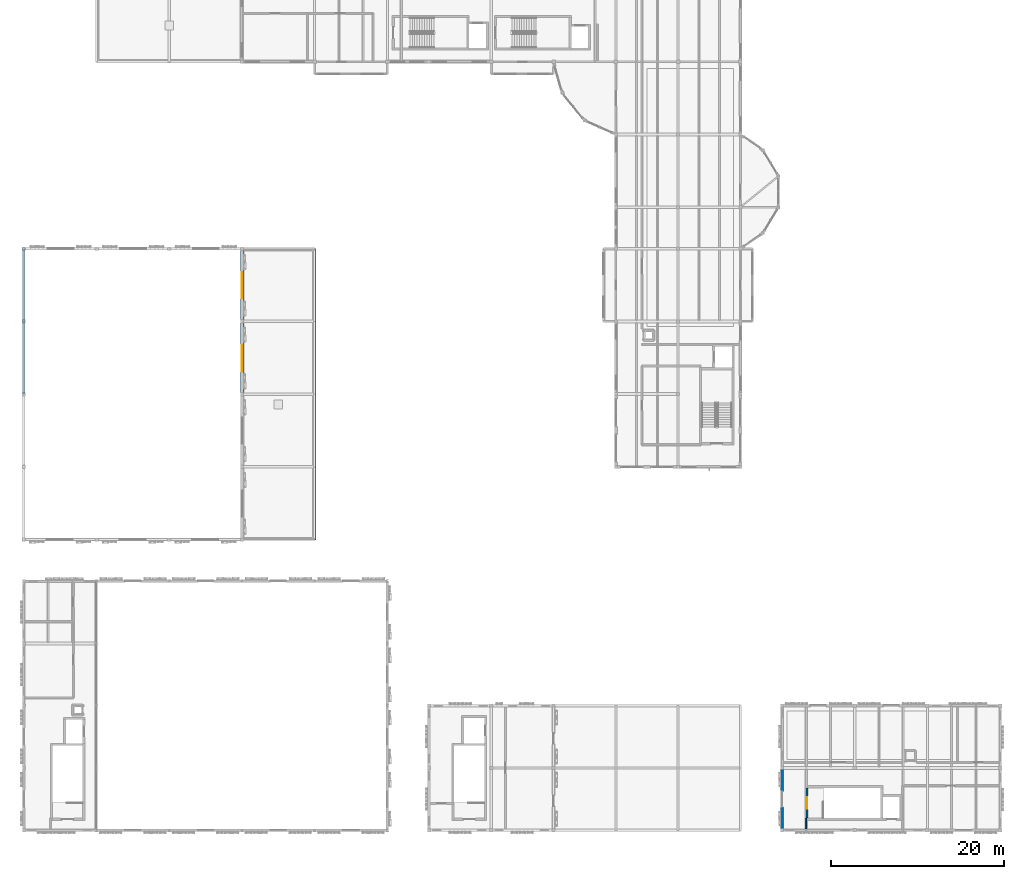
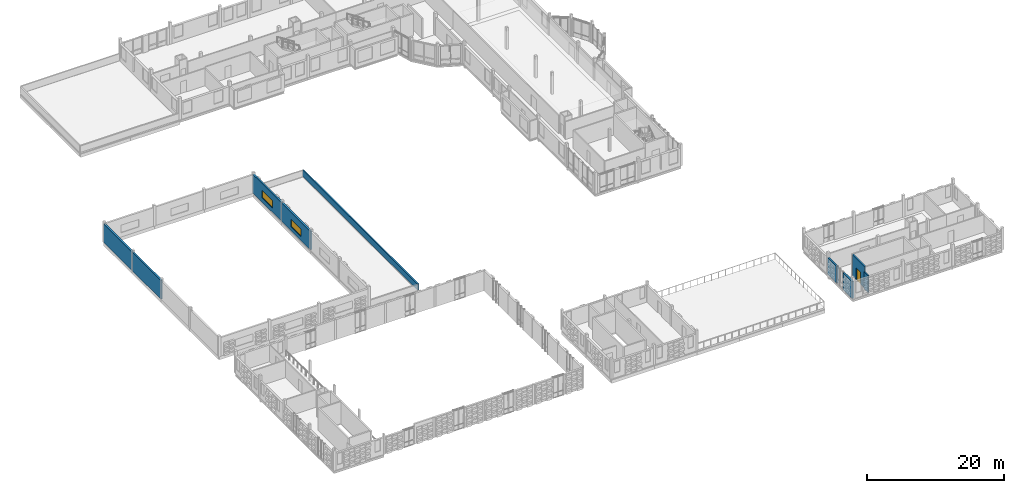
# One storey, part 37 of 57: 9 walls, 2 windows, 1 door, 3 openings.
"""IFC4 building model written with IfcOpenShell, lengths in metres."""

from ifc_helpers import new_model, si_unit, direction, frame, frame_2d, origin, place, context, subcontext, project, spatial, rectangle, extrude, material, layer, layer_set, type_object, element, fill, save


model = new_model("IFC4")

# Units and contexts
model_context = context("Model", 3, precision=1e-05, world=origin(), true_north=direction((0.0, 1.0)))
body_context = subcontext(model_context, "Body", "Model", "MODEL_VIEW")
ifc_project = project(units=[si_unit("LENGTHUNIT", "METRE"), si_unit("AREAUNIT", "SQUARE_METRE"), si_unit("VOLUMEUNIT", "CUBIC_METRE"), si_unit("PLANEANGLEUNIT", "RADIAN"), si_unit("MASSUNIT", "GRAM", prefix="KILO")], contexts=[model_context])

# Site, building, storey
site_placement = place(None, origin())
site = spatial("IfcSite", under=ifc_project, at=site_placement, CompositionType="ELEMENT")
building_placement = place(site_placement, origin())
building = spatial("IfcBuilding", under=site, at=building_placement, Name="Kahlenmark Community Centre", CompositionType="ELEMENT")
storey_placement = place(building_placement, frame((0.0, 0.0, 13.800048828125)))
storey = spatial("IfcBuildingStorey", under=building, at=storey_placement, Name="L03", CompositionType="ELEMENT", Elevation=13.800048828125)

# Wall, opening, door
ifc_material_1 = material(Name="Concrete C35/45", Category="concrete")
ifc_layer_1 = layer(ifc_material_1, 0.25)
ifc_layer_set_1 = layer_set([ifc_layer_1], Name="Concrete C35/45")
wall_type_1 = type_object("IfcWallType", Name="WT-CORE-250", PredefinedType="SHEAR", material=ifc_layer_set_1)
wall_1_placement = place(storey_placement, frame((94.47509765625, 13.699951171875, 0.0), z_axis=(0.0, 0.0, 1.0), x_axis=(0.0, -1.0, 0.0)))
wall_1 = element("IfcWall", 1, at=wall_1_placement, inside=storey, type_object=wall_type_1, Name="Core K7 shear wall WL-CORE-K7-L03-0274", PredefinedType="SHEAR", context=body_context, shape_type="SweptSolid", body=[
    extrude(rectangle(XDim=3.5, YDim=0.25, at=frame_2d((1.75, 0.0))), origin(), (0.0, 0.0, 1.0), 3.89990234375),
])
opening_1_placement = place(wall_1_placement, frame((1.10009765625, 0.0, -0.010009765625)))
opening_1 = element("IfcOpeningElement", 2, at=opening_1_placement, cuts=wall_1, Name="Opening FD-K7-L03", PredefinedType="OPENING", context=body_context, shape_type="SweptSolid", body=[
    extrude(rectangle(XDim=1.300048828125, YDim=2.159912109375, at=frame_2d((0.64990234375, 1.080078125))), frame((0.0, 0.135009765625, 0.0), z_axis=(0.0, -1.0, 0.0), x_axis=(1.0, 0.0, 0.0)), (0.0, 0.0, 1.0), 0.27001953125),
])
ifc_material_2 = material(Name="Fire-rated steel-framed timber door FD60S", Category="steel")
door_type = type_object("IfcDoorType", Name="DT-FD-K7-L03", OperationType="NOTDEFINED", PredefinedType="DOOR", material=ifc_material_2)
door_placement = place(opening_1_placement, frame((1.300048828125, 0.0, 0.010009765625), z_axis=(0.0, 0.0, 1.0), x_axis=(-1.0, 0.0, 0.0)))
door = element("IfcDoor", 3, at=door_placement, inside=storey, type_object=door_type, Name="Core K7 stair fire door L03", OperationType="SINGLE_SWING_LEFT", OverallHeight=2.14990234375, OverallWidth=1.300048828125, PredefinedType="DOOR", context=body_context, shape_type="SweptSolid", body=[
    extrude(rectangle(XDim=1.300048828125, YDim=2.14990234375, at=frame_2d((0.64990234375, 1.074951171875))), frame((0.0, 0.02490234375, 0.0), z_axis=(0.0, -1.0, 0.0), x_axis=(1.0, 0.0, 0.0)), (0.0, 0.0, 1.0), 0.050048828125),
])
fill(opening_1, door)

# Walls
ifc_material_3 = material(Name="Cross-laminated timber CLT C24", Category="wood")
ifc_layer_2 = layer(ifc_material_3, 0.300048828125)
ifc_layer_set_2 = layer_set([ifc_layer_2], Name="Cross-laminated timber CLT C24")
wall_type_2 = type_object("IfcWallType", Name="WT-EW-300", PredefinedType="SOLIDWALL", material=ifc_layer_set_2)
wall_2_placement = place(storey_placement, frame((4.0, 67.60009765625, 0.0), z_axis=(0.0, 0.0, 1.0), x_axis=(0.0, -1.0, 0.0)))
element("IfcWall", 4, at=wall_2_placement, inside=storey, type_object=wall_type_2, Name="Exterior wall WL-EXT-L03-0585", PredefinedType="SOLIDWALL", context=body_context, shape_type="SweptSolid", body=[
    extrude(rectangle(XDim=8.400146484375, YDim=0.300048828125, at=frame_2d((4.2001953125, 0.0))), origin(), (0.0, 0.0, 1.0), 3.320068359375),
])
wall_3_placement = place(storey_placement, frame((4.0, 76.0, 0.0), z_axis=(0.0, 0.0, 1.0), x_axis=(0.0, -1.0, 0.0)))
element("IfcWall", 5, at=wall_3_placement, inside=storey, type_object=wall_type_2, Name="Exterior wall WL-EXT-L03-0586", PredefinedType="SOLIDWALL", context=body_context, shape_type="SweptSolid", body=[
    extrude(rectangle(XDim=8.39990234375, YDim=0.300048828125, at=frame_2d((4.199951171875, 0.0))), origin(), (0.0, 0.0, 1.0), 3.320068359375),
])

# Wall, opening, window
wall_4_placement = place(storey_placement, frame((29.199951171875, 59.199951171875, 0.0), z_axis=(0.0, 0.0, 1.0), x_axis=(0.0, 1.0, 0.0)))
wall_4 = element("IfcWall", 6, at=wall_4_placement, inside=storey, type_object=wall_type_2, Name="Exterior wall WL-EXT-L03-0589", PredefinedType="SOLIDWALL", context=body_context, shape_type="SweptSolid", body=[
    extrude(rectangle(XDim=8.400146484375, YDim=0.300048828125, at=frame_2d((4.2001953125, 0.0))), origin(), (0.0, 0.0, 1.0), 3.320068359375),
])
opening_2_placement = place(wall_4_placement, frame((2.659912109375, 0.0, 0.75)))
opening_2 = element("IfcOpeningElement", 7, at=opening_2_placement, cuts=wall_4, Name="Opening W-300X135", PredefinedType="OPENING", context=body_context, shape_type="SweptSolid", body=[
    extrude(rectangle(XDim=3.0, YDim=1.35009765625, at=frame_2d((1.5, 0.675048828125))), frame((0.0, 0.159912109375, 0.0), z_axis=(0.0, -1.0, 0.0), x_axis=(1.0, 0.0, 0.0)), (0.0, 0.0, 1.0), 0.320068359375),
])
ifc_material_4 = material(Name="Triple low-e acoustic clerestory glazing", Category="glass")
window_type = type_object("IfcWindowType", Name="WNT-300X135", PartitioningType="TRIPLE_PANEL_VERTICAL", PredefinedType="WINDOW", material=ifc_material_4)
window_1_placement = place(opening_2_placement, origin())
window_1 = element("IfcWindow", 8, at=window_1_placement, inside=storey, type_object=window_type, Name="Window W-300X135 #0357", OverallHeight=1.35009765625, OverallWidth=3.0, PartitioningType="TRIPLE_PANEL_VERTICAL", PredefinedType="WINDOW", context=body_context, shape_type="SweptSolid", body=[
    extrude(rectangle(XDim=3.0, YDim=1.35009765625, at=frame_2d((1.5, 0.675048828125))), frame((0.0, 0.030029296875, 0.0), z_axis=(0.0, -1.0, 0.0), x_axis=(1.0, 0.0, 0.0)), (0.0, 0.0, 1.0), 0.06005859375),
])
fill(opening_2, window_1)

wall_5_placement = place(storey_placement, frame((29.199951171875, 67.60009765625, 0.0), z_axis=(0.0, 0.0, 1.0), x_axis=(0.0, 1.0, 0.0)))
wall_5 = element("IfcWall", 9, at=wall_5_placement, inside=storey, type_object=wall_type_2, Name="Exterior wall WL-EXT-L03-0590", PredefinedType="SOLIDWALL", context=body_context, shape_type="SweptSolid", body=[
    extrude(rectangle(XDim=8.39990234375, YDim=0.300048828125, at=frame_2d((4.199951171875, 0.0))), origin(), (0.0, 0.0, 1.0), 3.320068359375),
])
opening_3_placement = place(wall_5_placement, frame((2.659912109375, 0.0, 0.75)))
opening_3 = element("IfcOpeningElement", 10, at=opening_3_placement, cuts=wall_5, Name="Opening W-300X135", PredefinedType="OPENING", context=body_context, shape_type="SweptSolid", body=[
    extrude(rectangle(XDim=3.0, YDim=1.35009765625, at=frame_2d((1.5, 0.675048828125))), frame((0.0, 0.159912109375, 0.0), z_axis=(0.0, -1.0, 0.0), x_axis=(1.0, 0.0, 0.0)), (0.0, 0.0, 1.0), 0.320068359375),
])
window_2_placement = place(opening_3_placement, origin())
window_2 = element("IfcWindow", 11, at=window_2_placement, inside=storey, type_object=window_type, Name="Window W-300X135 #0358", OverallHeight=1.35009765625, OverallWidth=3.0, PartitioningType="TRIPLE_PANEL_VERTICAL", PredefinedType="WINDOW", context=body_context, shape_type="SweptSolid", body=[
    extrude(rectangle(XDim=3.0, YDim=1.35009765625, at=frame_2d((1.5, 0.675048828125))), frame((0.0, 0.030029296875, 0.0), z_axis=(0.0, -1.0, 0.0), x_axis=(1.0, 0.0, 0.0)), (0.0, 0.0, 1.0), 0.06005859375),
])
fill(opening_3, window_2)

# Walls
for number, where, z_axis, x_axis, name in (
    (12, (91.60009765625, 16.0, 0.0), (0.0, 0.0, 1.0), (0.0, -1.0, 0.0), "Basketweave backup wall WL-EXT-L03-0634"),
    (13, (91.60009765625, 11.5, 0.0), (0.0, 0.0, 1.0), (0.0, -1.0, 0.0), "Basketweave backup wall WL-EXT-L03-0635"),
):
    element("IfcWall", number, at=place(storey_placement, frame(where, z_axis=z_axis, x_axis=x_axis)), inside=storey, type_object=wall_type_2, Name=name, PredefinedType="SOLIDWALL", context=body_context, shape_type="SweptSolid", body=[
        extrude(rectangle(XDim=2.699951171875, YDim=0.300048828125, at=frame_2d((1.35009765625, 0.0))), origin(), (0.0, 0.0, 1.0), 3.010009765625),
    ])
ifc_material_5 = material(Name="Concrete C30/37", Category="concrete")
ifc_layer_3 = layer(ifc_material_5, 0.219970703125)
ifc_layer_set_3 = layer_set([ifc_layer_3], Name="Concrete C30/37")
wall_type_3 = type_object("IfcWallType", Name="WT-PAR-220", PredefinedType="PARAPET", material=ifc_layer_set_3)
wall_6_placement = place(storey_placement, frame((37.60009765625, 42.39990234375, 0.0), z_axis=(0.0, 0.0, 1.0), x_axis=(0.0, 1.0, 0.0)))
element("IfcWall", 14, at=wall_6_placement, inside=storey, type_object=wall_type_3, Name="Roof parapet 1043", PredefinedType="PARAPET", context=body_context, shape_type="SweptSolid", body=[
    extrude(rectangle(XDim=33.60009765625, YDim=0.219970703125, at=frame_2d((16.800048828125, 0.0))), origin(), (0.0, 0.0, 1.0), 1.119873046875),
])
ifc_material_6 = material(Name="Gypsum plasterboard partition", Category="gypsum")
ifc_layer_4 = layer(ifc_material_6, 0.179931640625)
ifc_layer_set_4 = layer_set([ifc_layer_4], Name="Gypsum plasterboard partition")
wall_type_4 = type_object("IfcWallType", Name="WT-PW-180", PredefinedType="PARTITIONING", material=ifc_layer_set_4)
wall_7_placement = place(storey_placement, frame((94.35009765625, 8.9599609375, 0.0), z_axis=(0.0, 0.0, 1.0), x_axis=(0.0, 1.0, 0.0)))
element("IfcWall", 15, at=wall_7_placement, inside=storey, type_object=wall_type_4, Name="Interior partition WL-INT-L03-0218", PredefinedType="PARTITIONING", context=body_context, shape_type="SweptSolid", body=[
    extrude(rectangle(XDim=1.239990234375, YDim=0.179931640625, at=frame_2d((0.6201171875, 0.0))), origin(), (0.0, 0.0, 1.0), 3.010009765625),
])

save(model, "model.ifc")
